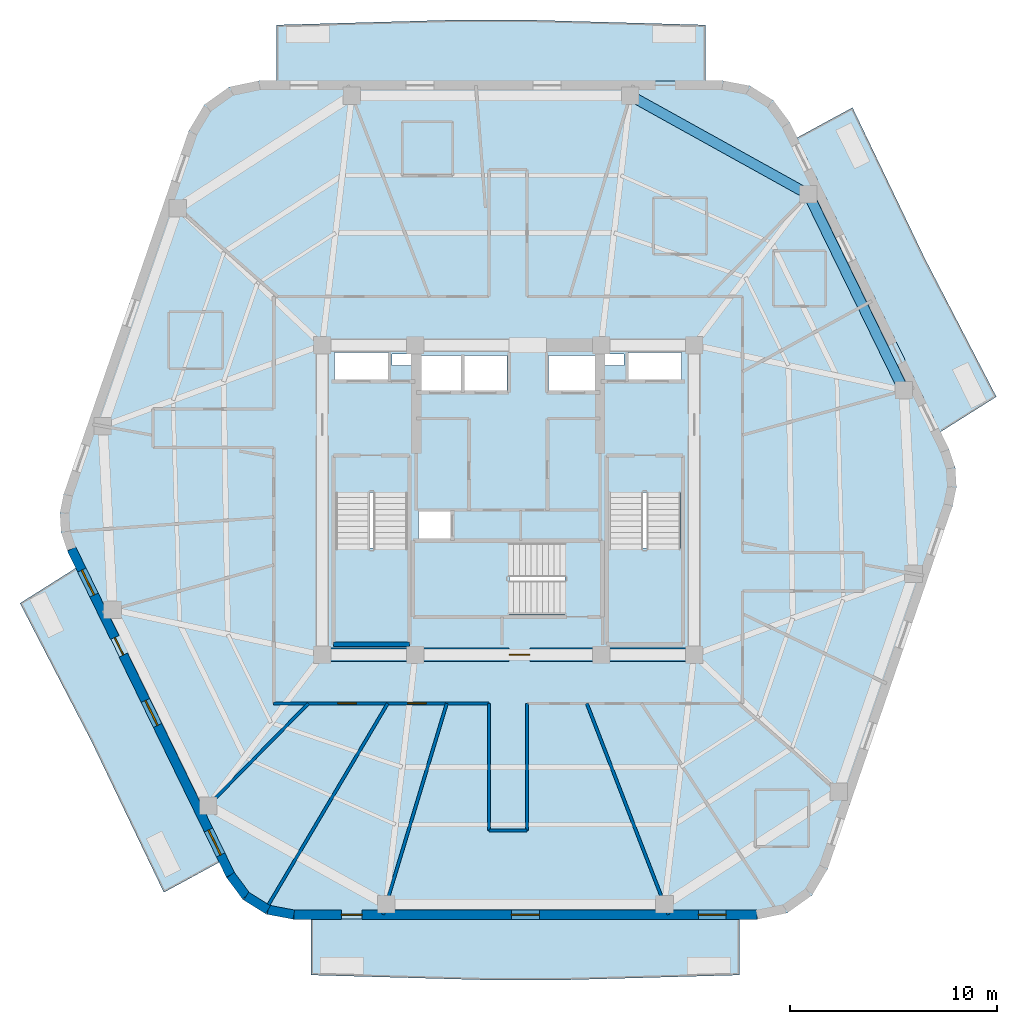
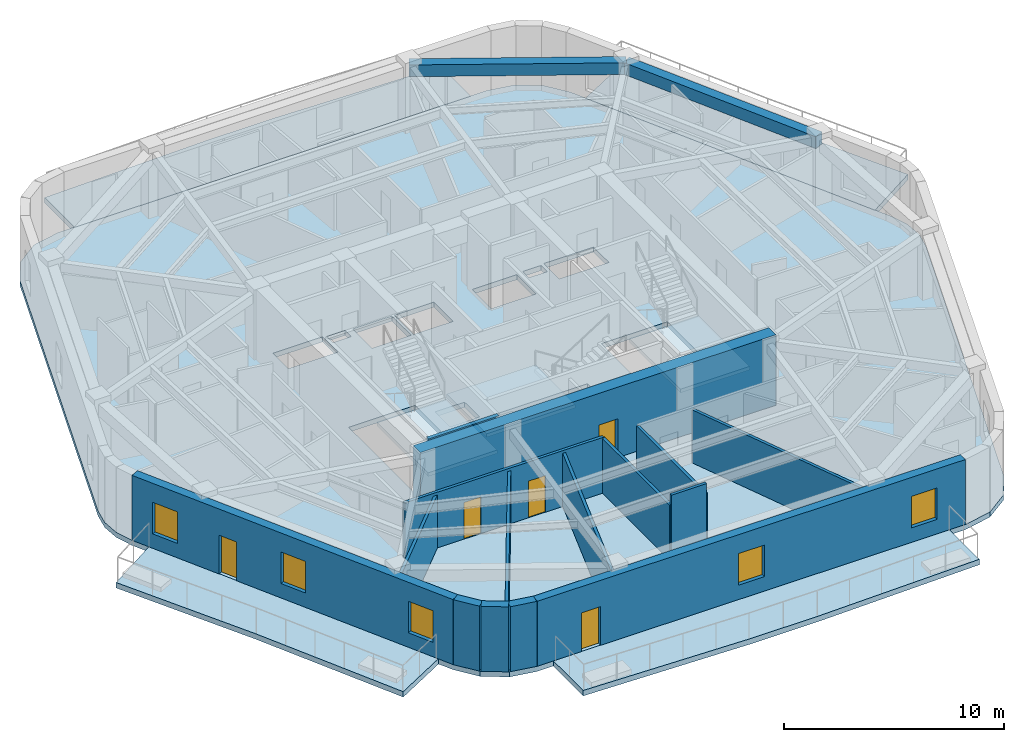
# One storey, part 2 of 9: 15 walls, 8 slabs, 5 doors, 5 windows, 2 beams, 10 openings, 3 elements without a shape of their own.
"""IFC4 building model written with IfcOpenShell, lengths in metres."""

from ifc_helpers import new_model, si_unit, direction, frame, frame_2d, origin, origin_2d, place, context, subcontext, project, spatial, polyline, rectangle, outline, extrude, material, layer, layer_set, material_profile, profile_set, type_object, element, fill, aggregate, save


model = new_model("IFC4")

# Units and contexts
model_context = context("Model", 3, precision=1e-05, world=origin(), true_north=direction((0.0, 1.0)))
body_context = subcontext(model_context, "Body", "Model", "MODEL_VIEW")
ifc_project = project(units=[si_unit("LENGTHUNIT", "METRE"), si_unit("AREAUNIT", "SQUARE_METRE"), si_unit("VOLUMEUNIT", "CUBIC_METRE"), si_unit("PLANEANGLEUNIT", "RADIAN"), si_unit("MASSUNIT", "GRAM", prefix="KILO")], contexts=[model_context])

# Site, building, storey
site_placement = place(None, origin())
site = spatial("IfcSite", under=ifc_project, at=site_placement, CompositionType="ELEMENT")
building_placement = place(site_placement, origin())
building = spatial("IfcBuilding", under=site, at=building_placement, Name="Kilnhurst Terrace Hotel", CompositionType="ELEMENT")
storey_placement = place(building_placement, frame((0.0, 0.0, 280.800048828125)))
storey = spatial("IfcBuildingStorey", under=building, at=storey_placement, Name="L70", CompositionType="ELEMENT", Elevation=280.800048828125)

# Beams
ifc_material_1 = material(Name="Concrete C50/60", Category="concrete")
ifc_material_profile = material_profile(ifc_material_1, rectangle(XDim=0.5, YDim=0.64990234375, at=origin_2d()), Name="RC500X650")
ifc_profile_set = profile_set([ifc_material_profile], Name="Concrete C50/60")
beam_type = type_object("IfcBeamType", Name="BM-SPN-500X650", PredefinedType="SPANDREL", material=ifc_profile_set)
beam_1_placement = place(storey_placement, frame((19.157958984375, 5.304931640625, 3.27490234375), z_axis=(-0.438128464895, 0.898912369616, 0.0), x_axis=(-0.898912369616, -0.438128464895, 0.0)))
element("IfcBeam", 1, at=beam_1_placement, inside=storey, type_object=beam_type, Name="L70 Perimeter Spandrel Beam 5", PredefinedType="SPANDREL", context=body_context, shape_type="SweptSolid", body=[
    extrude(rectangle(XDim=0.5, YDim=0.64990234375, at=origin_2d()), origin(), (0.0, 0.0, 1.0), 10.560791015625),
])
beam_2_placement = place(storey_placement, frame((14.531005859375, 14.798095703125, 3.27490234375), z_axis=(-0.874527255888, 0.484976369227, 0.0), x_axis=(-0.484976369227, -0.874527255888, 0.0)))
element("IfcBeam", 2, at=beam_2_placement, inside=storey, type_object=beam_type, Name="L70 Perimeter Spandrel Beam 6", PredefinedType="SPANDREL", context=body_context, shape_type="SweptSolid", body=[
    extrude(rectangle(XDim=0.5, YDim=0.64990234375, at=origin_2d()), origin(), (0.0, 0.0, 1.0), 9.8603515625),
])

# Slabs
ifc_layer_1 = layer(ifc_material_1, 0.300048828125, Name="Concrete C50/60")
ifc_layer_set_1 = layer_set([ifc_layer_1], Name="Concrete C50/60")
slab_type_1 = type_object("IfcSlabType", Name="SLB-BAL-300", PredefinedType="FLOOR", material=ifc_layer_set_1)
slab_1_placement = place(storey_placement, frame((0.0, 0.0, -0.300048828125)))
element("IfcSlab", 3, at=slab_1_placement, inside=storey, type_object=slab_type_1, Name="L70 Cantilevered Planted Terrace Slab BAL-L1A", PredefinedType="FLOOR", context=body_context, shape_type="SweptSolid", body=[
    extrude(outline(polyline([(20.17919921875, 11.6767578125), (23.635498046875, 5.0), (20.920166015625, 3.28662109375), (13.9755859375, 17.534912109375), (16.669189453125, 19.0), (20.17919921875, 11.6767578125)])), origin(), (0.0, 0.0, 1.0), 0.300048828125),
])
slab_2_placement = place(storey_placement, frame((0.0, 0.0, -0.300048828125)))
element("IfcSlab", 4, at=slab_2_placement, inside=storey, type_object=slab_type_1, Name="L70 Cantilevered Planted Terrace Slab BAL-L1B", PredefinedType="FLOOR", context=body_context, shape_type="SweptSolid", body=[
    extrude(outline(polyline([(0.958984375, 23.239990234375), (9.5498046875, 23.0), (9.5498046875, 20.280029296875), (-11.211669921875, 20.280029296875), (-11.211669921875, 23.0), (-2.62060546875, 23.239990234375), (0.958984375, 23.239990234375)])), origin(), (0.0, 0.0, 1.0), 0.300048828125),
])
slab_3_placement = place(storey_placement, frame((0.0, 0.0, -0.300048828125)))
element("IfcSlab", 5, at=slab_3_placement, inside=storey, type_object=slab_type_1, Name="L70 Cantilevered Planted Terrace Slab BAL-L2A", PredefinedType="FLOOR", context=body_context, shape_type="SweptSolid", body=[
    extrude(outline(polyline([(-23.635498046875, -5.0), (-20.920166015625, -3.28662109375), (-13.9755859375, -17.534912109375), (-16.669189453125, -19.0), (-20.17919921875, -11.6767578125), (-23.635498046875, -5.0)])), origin(), (0.0, 0.0, 1.0), 0.300048828125),
])
slab_4_placement = place(storey_placement, frame((0.0, 0.0, -0.300048828125)))
element("IfcSlab", 6, at=slab_4_placement, inside=storey, type_object=slab_type_1, Name="L70 Cantilevered Planted Terrace Slab BAL-L2B", PredefinedType="FLOOR", context=body_context, shape_type="SweptSolid", body=[
    extrude(outline(polyline([(-0.958984375, -23.239990234375), (-9.5498046875, -23.0), (-9.5498046875, -20.280029296875), (11.211669921875, -20.280029296875), (11.211669921875, -23.0), (2.62060546875, -23.239990234375), (-0.958984375, -23.239990234375)])), origin(), (0.0, 0.0, 1.0), 0.300048828125),
])
ifc_layer_2 = layer(ifc_material_1, 0.280029296875, Name="Concrete C50/60")
ifc_layer_set_2 = layer_set([ifc_layer_2], Name="Concrete C50/60")
slab_type_2 = type_object("IfcSlabType", Name="SLB-FLR-280", PredefinedType="FLOOR", material=ifc_layer_set_2)
slab_5_placement = place(storey_placement, frame((0.0, 0.0, -0.280029296875)))
element("IfcSlab", 7, at=slab_5_placement, inside=storey, type_object=slab_type_2, Name="L70 Structural Floor Slab", PredefinedType="FLOOR", context=body_context, shape_type="SweptSolid", body=[
    extrude(outline(polyline([(-13.635986328125, -18.27734375), (-12.840087890625, -19.3466796875), (-11.709716796875, -20.05322265625), (-10.39990234375, -20.300048828125), (12.061767578125, -20.300048828125), (13.5068359375, -19.9970703125), (14.708984375, -19.139404296875), (15.4658203125, -17.871337890625), (21.51513671875, -0.29248046875), (21.7021484375, 0.627685546875), (21.64501953125, 1.565185546875), (21.34716796875, 2.4560546875), (13.635986328125, 18.27734375), (12.840087890625, 19.3466796875), (11.709716796875, 20.05322265625), (10.39990234375, 20.300048828125), (-12.061767578125, 20.300048828125), (-13.5068359375, 19.9970703125), (-14.708984375, 19.139404296875), (-15.4658203125, 17.871337890625), (-21.51513671875, 0.29248046875), (-21.7021484375, -0.627685546875), (-21.64501953125, -1.565185546875), (-21.34716796875, -2.4560546875), (-13.635986328125, -18.27734375)]), holes=[polyline([(-8.35009765625, 0.35498046875), (-4.8798828125, 0.35498046875), (-4.8798828125, -6.89990234375), (-8.35009765625, -6.89990234375), (-8.35009765625, 0.35498046875)]), polyline([(-2.800048828125, -1.89990234375), (-4.35009765625, -1.89990234375), (-4.35009765625, -0.550048828125), (-2.800048828125, -0.550048828125), (-2.800048828125, -1.89990234375)]), polyline([(-2.25, 5.25), (-4.300048828125, 5.25), (-4.300048828125, 7.0), (-2.25, 7.0), (-2.25, 5.25)]), polyline([(-2.1201171875, 5.25), (-2.1201171875, 7.0), (-0.050048828125, 7.0), (-0.050048828125, 5.25), (-2.1201171875, 5.25)]), polyline([(-8.39990234375, 5.75), (-8.39990234375, 7.14990234375), (-5.800048828125, 7.14990234375), (-5.800048828125, 5.75), (-8.39990234375, 5.75)]), polyline([(-4.659912109375, 6.52001953125), (-5.6201171875, 6.52001953125), (-5.6201171875, 7.080078125), (-4.659912109375, 7.080078125), (-4.659912109375, 6.52001953125)]), polyline([(2.7548828125, -5.550048828125), (-4.5, -5.550048828125), (-4.5, -2.080078125), (2.7548828125, -2.080078125), (2.7548828125, -5.550048828125)]), polyline([(8.35009765625, 0.35498046875), (8.35009765625, -6.89990234375), (4.8798828125, -6.89990234375), (4.8798828125, 0.35498046875), (8.35009765625, 0.35498046875)]), polyline([(4.300048828125, 5.25), (1.949951171875, 5.25), (1.949951171875, 7.0), (4.300048828125, 7.0), (4.300048828125, 5.25)]), polyline([(5.800048828125, 5.75), (5.800048828125, 7.14990234375), (8.39990234375, 7.14990234375), (8.39990234375, 5.75), (5.800048828125, 5.75)]), polyline([(4.659912109375, 6.52001953125), (4.659912109375, 7.080078125), (5.6201171875, 7.080078125), (5.6201171875, 6.52001953125), (4.659912109375, 6.52001953125)])]), origin(), (0.0, 0.0, 1.0), 0.280029296875),
])

# Stair, slab
stair_type = type_object("IfcStairType", Name="STR-CORE-1660", PredefinedType="HALF_TURN_STAIR", material=ifc_material_1)
stair_1_placement = place(storey_placement, origin())
stair_1 = element("IfcStair", 8, at=stair_1_placement, inside=storey, type_object=stair_type, Name="L70 ST-1", PredefinedType="HALF_TURN_STAIR")
ifc_layer_3 = layer(ifc_material_1, 0.199951171875, Name="Concrete C50/60")
ifc_layer_set_3 = layer_set([ifc_layer_3], Name="Concrete C50/60")
slab_type_3 = type_object("IfcSlabType", Name="SLB-ST-LND-200", PredefinedType="LANDING", material=ifc_layer_set_3)
slab_6_placement = place(storey_placement, frame((0.0, 0.0, 1.75)))
slab_6 = element("IfcSlab", 9, at=slab_6_placement, type_object=slab_type_3, Name="ST-1 landing 1", PredefinedType="LANDING", context=body_context, shape_type="SweptSolid", body=[
    extrude(outline(polyline([(-8.429931640625, -2.330078125), (-4.800048828125, -2.330078125), (-4.800048828125, -6.97998046875), (-8.429931640625, -6.97998046875), (-8.429931640625, -2.330078125)])), origin(), (0.0, 0.0, 1.0), 0.199951171875),
])
aggregate(stair_1, [slab_6])

stair_2_placement = place(storey_placement, origin())
stair_2 = element("IfcStair", 10, at=stair_2_placement, inside=storey, type_object=stair_type, Name="L70 ST-2", PredefinedType="HALF_TURN_STAIR")
slab_7_placement = place(storey_placement, frame((0.0, 0.0, 1.75)))
slab_7 = element("IfcSlab", 11, at=slab_7_placement, type_object=slab_type_3, Name="ST-2 landing 1", PredefinedType="LANDING", context=body_context, shape_type="SweptSolid", body=[
    extrude(outline(polyline([(4.800048828125, -2.330078125), (8.429931640625, -2.330078125), (8.429931640625, -6.97998046875), (4.800048828125, -6.97998046875), (4.800048828125, -2.330078125)])), origin(), (0.0, 0.0, 1.0), 0.199951171875),
])
aggregate(stair_2, [slab_7])

stair_3_placement = place(storey_placement, origin())
stair_3 = element("IfcStair", 12, at=stair_3_placement, inside=storey, type_object=stair_type, Name="L70 ST-3", PredefinedType="HALF_TURN_STAIR")
slab_8_placement = place(storey_placement, frame((0.0, 0.0, 1.75)))
slab_8 = element("IfcSlab", 13, at=slab_8_placement, type_object=slab_type_3, Name="ST-3 landing 1", PredefinedType="LANDING", context=body_context, shape_type="SweptSolid", body=[
    extrude(outline(polyline([(0.070068359375, -2.0), (0.070068359375, -5.6298828125), (-4.580078125, -5.6298828125), (-4.580078125, -2.0), (0.070068359375, -2.0)])), origin(), (0.0, 0.0, 1.0), 0.199951171875),
])
aggregate(stair_3, [slab_8])

# Walls
ifc_material_2 = material(Name="Precast concrete C40/50", Category="concrete")
ifc_layer_4 = layer(ifc_material_2, 0.449951171875, Name="Precast concrete C40/50")
ifc_layer_set_4 = layer_set([ifc_layer_4], Name="Precast concrete C40/50")
wall_type_1 = type_object("IfcWallType", Name="WL-BRK-450", PredefinedType="SOLIDWALL", material=ifc_layer_set_4)
wall_1_placement = place(storey_placement, frame((-13.44287109375, -18.159912109375, 0.0), z_axis=(0.0, 0.0, 1.0), x_axis=(0.597042425808, -0.802209661987, 0.0)))
element("IfcWall", 14, at=wall_1_placement, inside=storey, type_object=wall_type_1, Name="L70 Rounded Corner Brick Wall C1.1", PredefinedType="SOLIDWALL", context=body_context, shape_type="SweptSolid", body=[
    extrude(rectangle(XDim=1.269775390625, YDim=0.449951171875, at=frame_2d((0.634765625, 0.0))), origin(), (0.0, 0.0, 1.0), 3.599853515625),
])
wall_2_placement = place(storey_placement, frame((-12.684814453125, -19.178466796875, 0.0), z_axis=(0.0, 0.0, 1.0), x_axis=(0.848031272749, -0.529946186362, 0.0)))
element("IfcWall", 15, at=wall_2_placement, inside=storey, type_object=wall_type_1, Name="L70 Rounded Corner Brick Wall C1.2", PredefinedType="SOLIDWALL", context=body_context, shape_type="SweptSolid", body=[
    extrude(rectangle(XDim=1.248046875, YDim=0.449951171875, at=frame_2d((0.6240234375, 0.0))), origin(), (0.0, 0.0, 1.0), 3.599853515625),
])
wall_3_placement = place(storey_placement, frame((-11.62646484375, -19.83984375, 0.0), z_axis=(0.0, 0.0, 1.0), x_axis=(0.982701956681, -0.185194126083, 0.0)))
element("IfcWall", 16, at=wall_3_placement, inside=storey, type_object=wall_type_1, Name="L70 Rounded Corner Brick Wall C1.3", PredefinedType="SOLIDWALL", context=body_context, shape_type="SweptSolid", body=[
    extrude(rectangle(XDim=1.26953125, YDim=0.449951171875, at=frame_2d((0.634765625, 0.0))), origin(), (0.0, 0.0, 1.0), 3.599853515625),
])

# Wall, openings, door, windows
wall_4_placement = place(storey_placement, frame((-10.37890625, -20.074951171875, 0.0), z_axis=(0.0, 0.0, 1.0), x_axis=(1.0, 0.0, 0.0)))
wall_4 = element("IfcWall", 17, at=wall_4_placement, inside=storey, type_object=wall_type_1, Name="L70 Exterior Brick Facade Wall F1", PredefinedType="SOLIDWALL", context=body_context, shape_type="SweptSolid", body=[
    extrude(rectangle(XDim=22.417236328125, YDim=0.449951171875, at=frame_2d((11.20849609375, 0.0))), origin(), (0.0, 0.0, 1.0), 3.599853515625),
])
opening_1_placement = place(wall_4_placement, frame((2.302001953125, 0.0, 0.0)))
opening_1 = element("IfcOpeningElement", 18, at=opening_1_placement, cuts=wall_4, Name="Opening BD-1000", PredefinedType="OPENING", context=body_context, shape_type="SweptSolid", body=[
    extrude(rectangle(XDim=1.0, YDim=2.14990234375, at=frame_2d((0.5, 1.074951171875))), frame((0.0, 0.23486328125, 0.0), z_axis=(0.0, -1.0, 0.0), x_axis=(1.0, 0.0, 0.0)), (0.0, 0.0, 1.0), 0.469970703125),
])
opening_2_placement = place(wall_4_placement, frame((10.533935546875, 0.0, 0.800048828125)))
opening_2 = element("IfcOpeningElement", 19, at=opening_2_placement, cuts=wall_4, Name="Opening W-06", PredefinedType="OPENING", context=body_context, shape_type="SweptSolid", body=[
    extrude(rectangle(XDim=1.35009765625, YDim=1.75, at=frame_2d((0.675048828125, 0.875))), frame((0.0, 0.23486328125, 0.0), z_axis=(0.0, -1.0, 0.0), x_axis=(1.0, 0.0, 0.0)), (0.0, 0.0, 1.0), 0.469970703125),
])
opening_3_placement = place(wall_4_placement, frame((19.5869140625, 0.0, 0.800048828125)))
opening_3 = element("IfcOpeningElement", 20, at=opening_3_placement, cuts=wall_4, Name="Opening W-06", PredefinedType="OPENING", context=body_context, shape_type="SweptSolid", body=[
    extrude(rectangle(XDim=1.35009765625, YDim=1.75, at=frame_2d((0.675048828125, 0.875))), frame((0.0, 0.23486328125, 0.0), z_axis=(0.0, -1.0, 0.0), x_axis=(1.0, 0.0, 0.0)), (0.0, 0.0, 1.0), 0.469970703125),
])
ifc_material_3 = material(Name="Thermally Broken Bronze Aluminium Alloy 6063-T6 and Laminated Glass", Category="aluminium")
door_type_1 = type_object("IfcDoorType", Name="DR-EXT-BAL-1000", OperationType="NOTDEFINED", PredefinedType="DOOR", material=ifc_material_3)
door_1_placement = place(opening_1_placement, origin())
door_1 = element("IfcDoor", 21, at=door_1_placement, inside=storey, type_object=door_type_1, Name="L70 Planted Balcony Door BAL-L2B", OperationType="SINGLE_SWING_LEFT", OverallHeight=2.14990234375, OverallWidth=1.0, PredefinedType="DOOR", context=body_context, shape_type="SweptSolid", body=[
    extrude(rectangle(XDim=1.0, YDim=2.14990234375, at=frame_2d((0.5, 1.074951171875))), frame((0.0, 0.02490234375, 0.0), z_axis=(0.0, -1.0, 0.0), x_axis=(1.0, 0.0, 0.0)), (0.0, 0.0, 1.0), 0.050048828125),
])
fill(opening_1, door_1)
ifc_material_4 = material(Name="Thermally Broken Bronze Aluminium Alloy 6063-T6 and Low-E Glass", Category="aluminium")
window_type = type_object("IfcWindowType", Name="WIN-1350X1750", PartitioningType="SINGLE_PANEL", PredefinedType="WINDOW", material=ifc_material_4)
window_1_placement = place(opening_2_placement, origin())
window_1 = element("IfcWindow", 22, at=window_1_placement, inside=storey, type_object=window_type, Name="L70 Deep-Set Masonry Window F1.1", OverallHeight=1.75, OverallWidth=1.35009765625, PartitioningType="SINGLE_PANEL", PredefinedType="WINDOW", context=body_context, shape_type="SweptSolid", body=[
    extrude(rectangle(XDim=1.35009765625, YDim=1.75, at=frame_2d((0.675048828125, 0.875))), frame((0.0, 0.030029296875, 0.0), z_axis=(0.0, -1.0, 0.0), x_axis=(1.0, 0.0, 0.0)), (0.0, 0.0, 1.0), 0.06005859375),
])
fill(opening_2, window_1)
window_2_placement = place(opening_3_placement, origin())
window_2 = element("IfcWindow", 23, at=window_2_placement, inside=storey, type_object=window_type, Name="L70 Deep-Set Masonry Window F1.2", OverallHeight=1.75, OverallWidth=1.35009765625, PartitioningType="SINGLE_PANEL", PredefinedType="WINDOW", context=body_context, shape_type="SweptSolid", body=[
    extrude(rectangle(XDim=1.35009765625, YDim=1.75, at=frame_2d((0.675048828125, 0.875))), frame((0.0, 0.030029296875, 0.0), z_axis=(0.0, -1.0, 0.0), x_axis=(1.0, 0.0, 0.0)), (0.0, 0.0, 1.0), 0.06005859375),
])
fill(opening_3, window_2)

wall_5_placement = place(storey_placement, frame((-21.138427734375, -2.370849609375, 0.0), z_axis=(0.0, 0.0, 1.0), x_axis=(0.438128124058, -0.89891253574, 0.0)))
wall_5 = element("IfcWall", 24, at=wall_5_placement, inside=storey, type_object=wall_type_1, Name="L70 Exterior Brick Facade Wall F6", PredefinedType="SOLIDWALL", context=body_context, shape_type="SweptSolid", body=[
    extrude(rectangle(XDim=17.564697265625, YDim=0.449951171875, at=frame_2d((8.7822265625, 0.0))), origin(), (0.0, 0.0, 1.0), 3.599853515625),
])
opening_4_placement = place(wall_5_placement, frame((4.76904296875, 0.0, 0.0)))
opening_4 = element("IfcOpeningElement", 25, at=opening_4_placement, cuts=wall_5, Name="Opening BD-950", PredefinedType="OPENING", context=body_context, shape_type="SweptSolid", body=[
    extrude(rectangle(XDim=0.949951171875, YDim=2.14990234375, at=frame_2d((0.47509765625, 1.074951171875))), frame((0.0, 0.23486328125, 0.0), z_axis=(0.0, -1.0, 0.0), x_axis=(1.0, 0.0, 0.0)), (0.0, 0.0, 1.0), 0.469970703125),
])
opening_5_placement = place(wall_5_placement, frame((1.133056640625, 0.0, 0.800048828125)))
opening_5 = element("IfcOpeningElement", 26, at=opening_5_placement, cuts=wall_5, Name="Opening W-06", PredefinedType="OPENING", context=body_context, shape_type="SweptSolid", body=[
    extrude(rectangle(XDim=1.35009765625, YDim=1.75, at=frame_2d((0.675048828125, 0.875))), frame((0.0, 0.23486328125, 0.0), z_axis=(0.0, -1.0, 0.0), x_axis=(1.0, 0.0, 0.0)), (0.0, 0.0, 1.0), 0.469970703125),
])
opening_6_placement = place(wall_5_placement, frame((8.157958984375, 0.0, 0.800048828125)))
opening_6 = element("IfcOpeningElement", 27, at=opening_6_placement, cuts=wall_5, Name="Opening W-06", PredefinedType="OPENING", context=body_context, shape_type="SweptSolid", body=[
    extrude(rectangle(XDim=1.35009765625, YDim=1.75, at=frame_2d((0.675048828125, 0.875))), frame((0.0, 0.23486328125, 0.0), z_axis=(0.0, -1.0, 0.0), x_axis=(1.0, 0.0, 0.0)), (0.0, 0.0, 1.0), 0.469970703125),
])
opening_7_placement = place(wall_5_placement, frame((15.132080078125, 0.0, 0.800048828125)))
opening_7 = element("IfcOpeningElement", 28, at=opening_7_placement, cuts=wall_5, Name="Opening W-06", PredefinedType="OPENING", context=body_context, shape_type="SweptSolid", body=[
    extrude(rectangle(XDim=1.35009765625, YDim=1.75, at=frame_2d((0.675048828125, 0.875))), frame((0.0, 0.23486328125, 0.0), z_axis=(0.0, -1.0, 0.0), x_axis=(1.0, 0.0, 0.0)), (0.0, 0.0, 1.0), 0.469970703125),
])
door_type_2 = type_object("IfcDoorType", Name="DR-EXT-BAL-950", OperationType="NOTDEFINED", PredefinedType="DOOR", material=ifc_material_3)
door_2_placement = place(opening_4_placement, origin())
door_2 = element("IfcDoor", 29, at=door_2_placement, inside=storey, type_object=door_type_2, Name="L70 Planted Balcony Door BAL-L2A", OperationType="SINGLE_SWING_RIGHT", OverallHeight=2.14990234375, OverallWidth=0.949951171875, PredefinedType="DOOR", context=body_context, shape_type="SweptSolid", body=[
    extrude(rectangle(XDim=0.949951171875, YDim=2.14990234375, at=frame_2d((0.47509765625, 1.074951171875))), frame((0.0, 0.02490234375, 0.0), z_axis=(0.0, -1.0, 0.0), x_axis=(1.0, 0.0, 0.0)), (0.0, 0.0, 1.0), 0.050048828125),
])
fill(opening_4, door_2)
window_3_placement = place(opening_5_placement, origin())
window_3 = element("IfcWindow", 30, at=window_3_placement, inside=storey, type_object=window_type, Name="L70 Deep-Set Masonry Window F6.1", OverallHeight=1.75, OverallWidth=1.35009765625, PartitioningType="SINGLE_PANEL", PredefinedType="WINDOW", context=body_context, shape_type="SweptSolid", body=[
    extrude(rectangle(XDim=1.35009765625, YDim=1.75, at=frame_2d((0.675048828125, 0.875))), frame((0.0, 0.030029296875, 0.0), z_axis=(0.0, -1.0, 0.0), x_axis=(1.0, 0.0, 0.0)), (0.0, 0.0, 1.0), 0.06005859375),
])
fill(opening_5, window_3)
window_4_placement = place(opening_6_placement, origin())
window_4 = element("IfcWindow", 31, at=window_4_placement, inside=storey, type_object=window_type, Name="L70 Deep-Set Masonry Window F6.2", OverallHeight=1.75, OverallWidth=1.35009765625, PartitioningType="SINGLE_PANEL", PredefinedType="WINDOW", context=body_context, shape_type="SweptSolid", body=[
    extrude(rectangle(XDim=1.35009765625, YDim=1.75, at=frame_2d((0.675048828125, 0.875))), frame((0.0, 0.030029296875, 0.0), z_axis=(0.0, -1.0, 0.0), x_axis=(1.0, 0.0, 0.0)), (0.0, 0.0, 1.0), 0.06005859375),
])
fill(opening_6, window_4)
window_5_placement = place(opening_7_placement, origin())
window_5 = element("IfcWindow", 32, at=window_5_placement, inside=storey, type_object=window_type, Name="L70 Deep-Set Masonry Window F6.3", OverallHeight=1.75, OverallWidth=1.35009765625, PartitioningType="SINGLE_PANEL", PredefinedType="WINDOW", context=body_context, shape_type="SweptSolid", body=[
    extrude(rectangle(XDim=1.35009765625, YDim=1.75, at=frame_2d((0.675048828125, 0.875))), frame((0.0, 0.030029296875, 0.0), z_axis=(0.0, -1.0, 0.0), x_axis=(1.0, 0.0, 0.0)), (0.0, 0.0, 1.0), 0.06005859375),
])
fill(opening_7, window_5)

# Walls
ifc_material_5 = material(Name="Acoustic Double-Gypsum Corridor Partition Assembly")
ifc_layer_5 = layer(ifc_material_5, 0.14990234375, Name="Acoustic Double-Gypsum Corridor Partition Assembly")
ifc_layer_set_5 = layer_set([ifc_layer_5], Name="Acoustic Double-Gypsum Corridor Partition Assembly")
wall_type_2 = type_object("IfcWallType", Name="WL-COR-150", PredefinedType="PARTITIONING", material=ifc_layer_set_5)
wall_6_placement = place(storey_placement, frame((0.919921875, -9.85009765625, 0.0), z_axis=(0.0, 0.0, 1.0), x_axis=(0.0, -1.0, 0.0)))
element("IfcWall", 33, at=wall_6_placement, inside=storey, type_object=wall_type_2, Name="L70 Interior Wall WL-L70-COR-17", PredefinedType="PARTITIONING", context=body_context, shape_type="SweptSolid", body=[
    extrude(rectangle(XDim=6.14990234375, YDim=0.14990234375, at=frame_2d((3.074951171875, 0.0))), origin(), (0.0, 0.0, 1.0), 3.04052734375),
])
wall_7_placement = place(storey_placement, frame((0.919921875, -16.0, 0.0), z_axis=(0.0, 0.0, 1.0), x_axis=(-1.0, 0.0, 0.0)))
element("IfcWall", 34, at=wall_7_placement, inside=storey, type_object=wall_type_2, Name="L70 Interior Wall WL-L70-COR-18", PredefinedType="PARTITIONING", context=body_context, shape_type="SweptSolid", body=[
    extrude(rectangle(XDim=1.83984375, YDim=0.14990234375, at=frame_2d((0.919921875, 0.0))), origin(), (0.0, 0.0, 1.0), 3.599853515625),
])
wall_8_placement = place(storey_placement, frame((-0.919921875, -16.0, 0.0), z_axis=(0.0, 0.0, 1.0), x_axis=(0.0, 1.0, 0.0)))
element("IfcWall", 35, at=wall_8_placement, inside=storey, type_object=wall_type_2, Name="L70 Interior Wall WL-L70-COR-19", PredefinedType="PARTITIONING", context=body_context, shape_type="SweptSolid", body=[
    extrude(rectangle(XDim=6.14990234375, YDim=0.14990234375, at=frame_2d((3.074951171875, 0.0))), origin(), (0.0, 0.0, 1.0), 3.04052734375),
])

# Wall, openings, doors
wall_9_placement = place(storey_placement, frame((-0.919921875, -9.85009765625, 0.0), z_axis=(0.0, 0.0, 1.0), x_axis=(-1.0, 0.0, 0.0)))
wall_9 = element("IfcWall", 36, at=wall_9_placement, inside=storey, type_object=wall_type_2, Name="L70 Interior Wall WL-L70-COR-20", PredefinedType="PARTITIONING", context=body_context, shape_type="SweptSolid", body=[
    extrude(rectangle(XDim=10.43017578125, YDim=0.14990234375, at=frame_2d((5.215087890625, 0.0))), origin(), (0.0, 0.0, 1.0), 3.08984375),
])
opening_8_placement = place(wall_9_placement, frame((6.430908203125, 0.0, 0.0)))
opening_8 = element("IfcOpeningElement", 37, at=opening_8_placement, cuts=wall_9, Name="Opening D-60C", PredefinedType="OPENING", context=body_context, shape_type="SweptSolid", body=[
    extrude(rectangle(XDim=0.89990234375, YDim=2.030029296875, at=frame_2d((0.449951171875, 1.01513671875))), frame((0.0, 0.0849609375, 0.0), z_axis=(0.0, -1.0, 0.0), x_axis=(1.0, 0.0, 0.0)), (0.0, 0.0, 1.0), 0.169921875),
])
opening_9_placement = place(wall_9_placement, frame((3.052001953125, 0.0, 0.0)))
opening_9 = element("IfcOpeningElement", 38, at=opening_9_placement, cuts=wall_9, Name="Opening D-60C", PredefinedType="OPENING", context=body_context, shape_type="SweptSolid", body=[
    extrude(rectangle(XDim=0.89990234375, YDim=2.030029296875, at=frame_2d((0.449951171875, 1.01513671875))), frame((0.0, 0.0849609375, 0.0), z_axis=(0.0, -1.0, 0.0), x_axis=(1.0, 0.0, 0.0)), (0.0, 0.0, 1.0), 0.169921875),
])
ifc_material_6 = material(Name="Painted Solid-Core Service Fire Door")
door_type_3 = type_object("IfcDoorType", Name="DR-FD60-900", OperationType="NOTDEFINED", PredefinedType="DOOR", material=ifc_material_6)
door_3_placement = place(opening_8_placement, origin())
door_3 = element("IfcDoor", 39, at=door_3_placement, inside=storey, type_object=door_type_3, Name="L70 Wellness Consultation Room Door 11", OperationType="SINGLE_SWING_LEFT", OverallHeight=2.030029296875, OverallWidth=0.89990234375, PredefinedType="DOOR", context=body_context, shape_type="SweptSolid", body=[
    extrude(rectangle(XDim=0.89990234375, YDim=2.030029296875, at=frame_2d((0.449951171875, 1.01513671875))), frame((0.0, 0.02490234375, 0.0), z_axis=(0.0, -1.0, 0.0), x_axis=(1.0, 0.0, 0.0)), (0.0, 0.0, 1.0), 0.050048828125),
])
fill(opening_8, door_3)
door_4_placement = place(opening_9_placement, origin())
door_4 = element("IfcDoor", 40, at=door_4_placement, inside=storey, type_object=door_type_3, Name="L70 Private Tasting Dining Room Door 12", OperationType="SINGLE_SWING_RIGHT", OverallHeight=2.030029296875, OverallWidth=0.89990234375, PredefinedType="DOOR", context=body_context, shape_type="SweptSolid", body=[
    extrude(rectangle(XDim=0.89990234375, YDim=2.030029296875, at=frame_2d((0.449951171875, 1.01513671875))), frame((0.0, 0.02490234375, 0.0), z_axis=(0.0, -1.0, 0.0), x_axis=(1.0, 0.0, 0.0)), (0.0, 0.0, 1.0), 0.050048828125),
])
fill(opening_9, door_4)

# Wall, opening, door
ifc_material_7 = material(Name="Concrete C60/75", Category="concrete")
ifc_layer_6 = layer(ifc_material_7, 0.64990234375, Name="Concrete C60/75")
ifc_layer_set_6 = layer_set([ifc_layer_6], Name="Concrete C60/75")
wall_type_3 = type_object("IfcWallType", Name="WL-CORE-650", PredefinedType="SHEAR", material=ifc_layer_set_6)
wall_10_placement = place(storey_placement, frame((-9.324951171875, -7.5, 0.0), z_axis=(0.0, 0.0, 1.0), x_axis=(1.0, 0.0, 0.0)))
wall_10 = element("IfcWall", 41, at=wall_10_placement, inside=storey, type_object=wall_type_3, Name="L70 Core South Shear Wall", PredefinedType="SHEAR", context=body_context, shape_type="SweptSolid", body=[
    extrude(rectangle(XDim=18.64990234375, YDim=0.64990234375, at=frame_2d((9.324951171875, 0.0))), origin(), (0.0, 0.0, 1.0), 3.89990234375),
])
opening_10_placement = place(wall_10_placement, frame((9.375, 0.0, 0.0)))
opening_10 = element("IfcOpeningElement", 42, at=opening_10_placement, cuts=wall_10, Name="Opening D-90B", PredefinedType="OPENING", context=body_context, shape_type="SweptSolid", body=[
    extrude(rectangle(XDim=1.0, YDim=2.14990234375, at=frame_2d((0.5, 1.074951171875))), frame((0.0, 0.3349609375, 0.0), z_axis=(0.0, -1.0, 0.0), x_axis=(1.0, 0.0, 0.0)), (0.0, 0.0, 1.0), 0.669921875),
])
ifc_material_8 = material(Name="Painted Hollow Metal Steel ASTM A36 Fire Door", Category="steel")
door_type_4 = type_object("IfcDoorType", Name="DR-FD90-1000", OperationType="NOTDEFINED", PredefinedType="DOOR", material=ifc_material_8)
door_5_placement = place(opening_10_placement, origin())
door_5 = element("IfcDoor", 43, at=door_5_placement, inside=storey, type_object=door_type_4, Name="L70 Stair ST-3 Corridor Door", OperationType="SINGLE_SWING_RIGHT", OverallHeight=2.14990234375, OverallWidth=1.0, PredefinedType="DOOR", context=body_context, shape_type="SweptSolid", body=[
    extrude(rectangle(XDim=1.0, YDim=2.14990234375, at=frame_2d((0.5, 1.074951171875))), frame((0.0, 0.02490234375, 0.0), z_axis=(0.0, -1.0, 0.0), x_axis=(1.0, 0.0, 0.0)), (0.0, 0.0, 1.0), 0.050048828125),
])
fill(opening_10, door_5)

# Walls
ifc_material_9 = material(Name="STC-58 Acoustic Twin-Frame Guestroom Demising Partition")
ifc_layer_7 = layer(ifc_material_9, 0.14990234375, Name="STC-58 Acoustic Twin-Frame Guestroom Demising Partition")
ifc_layer_set_7 = layer_set([ifc_layer_7], Name="STC-58 Acoustic Twin-Frame Guestroom Demising Partition")
wall_type_4 = type_object("IfcWallType", Name="WL-DEM-150", PredefinedType="PARTITIONING", material=ifc_layer_set_7)
wall_11_placement = place(storey_placement, frame((-9.67236328125, -9.85009765625, 0.0), z_axis=(0.0, 0.0, 1.0), x_axis=(-0.700629771301, -0.713524998558, 0.0)))
element("IfcWall", 44, at=wall_11_placement, inside=storey, type_object=wall_type_4, Name="L70 Interior Wall WL-L70-DEM-COL08-11-1", PredefinedType="PARTITIONING", context=body_context, shape_type="SweptSolid", body=[
    extrude(rectangle(XDim=7.45947265625, YDim=0.14990234375, at=frame_2d((3.729736328125, 0.0))), origin(), (0.0, 0.0, 1.0), 2.93994140625),
])
wall_12_placement = place(storey_placement, frame((-5.833251953125, -9.85009765625, 0.0), z_axis=(0.0, 0.0, 1.0), x_axis=(-0.509561365941, -0.860434317272, 0.0)))
element("IfcWall", 45, at=wall_12_placement, inside=storey, type_object=wall_type_4, Name="L70 Interior Wall WL-L70-DEM-MID08-12-1", PredefinedType="PARTITIONING", context=body_context, shape_type="SweptSolid", body=[
    extrude(rectangle(XDim=11.384765625, YDim=0.14990234375, at=frame_2d((5.6923828125, 0.0))), origin(), (0.0, 0.0, 1.0), 2.93994140625),
])
wall_13_placement = place(storey_placement, frame((-2.97216796875, -9.85009765625, 0.0), z_axis=(0.0, 0.0, 1.0), x_axis=(-0.288872169679, -0.957367677324, 0.0)))
element("IfcWall", 46, at=wall_13_placement, inside=storey, type_object=wall_type_4, Name="L70 Interior Wall WL-L70-DEM-COL09-13-1", PredefinedType="PARTITIONING", context=body_context, shape_type="SweptSolid", body=[
    extrude(rectangle(XDim=10.68017578125, YDim=0.14990234375, at=frame_2d((5.340087890625, 0.0))), origin(), (0.0, 0.0, 1.0), 2.93994140625),
])
wall_14_placement = place(storey_placement, frame((3.8076171875, -9.85009765625, 0.0), z_axis=(0.0, 0.0, 1.0), x_axis=(0.360587327934, -0.932725457427, 0.0)))
element("IfcWall", 47, at=wall_14_placement, inside=storey, type_object=wall_type_4, Name="L70 Interior Wall WL-L70-DEM-COL10-14-1", PredefinedType="PARTITIONING", context=body_context, shape_type="SweptSolid", body=[
    extrude(rectangle(XDim=10.96240234375, YDim=0.14990234375, at=frame_2d((5.481201171875, 0.0))), origin(), (0.0, 0.0, 1.0), 2.93994140625),
])
ifc_layer_8 = layer(ifc_material_1, 0.199951171875, Name="Concrete C50/60")
ifc_layer_set_8 = layer_set([ifc_layer_8], Name="Concrete C50/60")
wall_type_5 = type_object("IfcWallType", Name="WL-STAIR-RC-200", PredefinedType="SHEAR", material=ifc_layer_set_8)
wall_15_placement = place(storey_placement, frame((-8.4580078125, -6.985107421875, 0.0), z_axis=(0.0, 0.0, 1.0), x_axis=(1.0, 0.0, 0.0)))
element("IfcWall", 48, at=wall_15_placement, inside=storey, type_object=wall_type_5, Name="L70 Structural Stair Shaft Wall WL-L70-ST1-S", PredefinedType="SHEAR", context=body_context, shape_type="SweptSolid", body=[
    extrude(rectangle(XDim=3.68603515625, YDim=0.199951171875, at=frame_2d((1.843017578125, 0.0))), origin(), (0.0, 0.0, 1.0), 3.89990234375),
])

save(model, "model.ifc")
